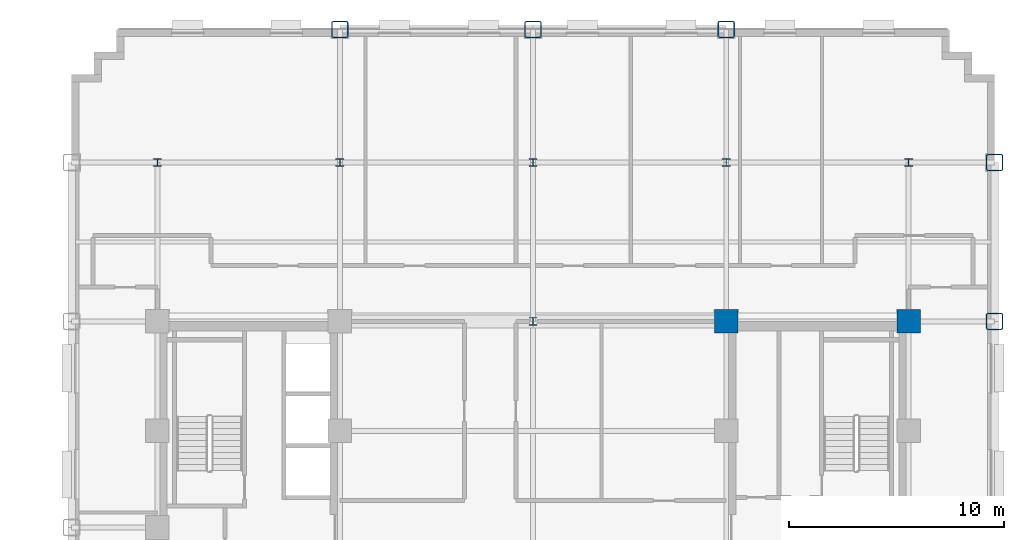
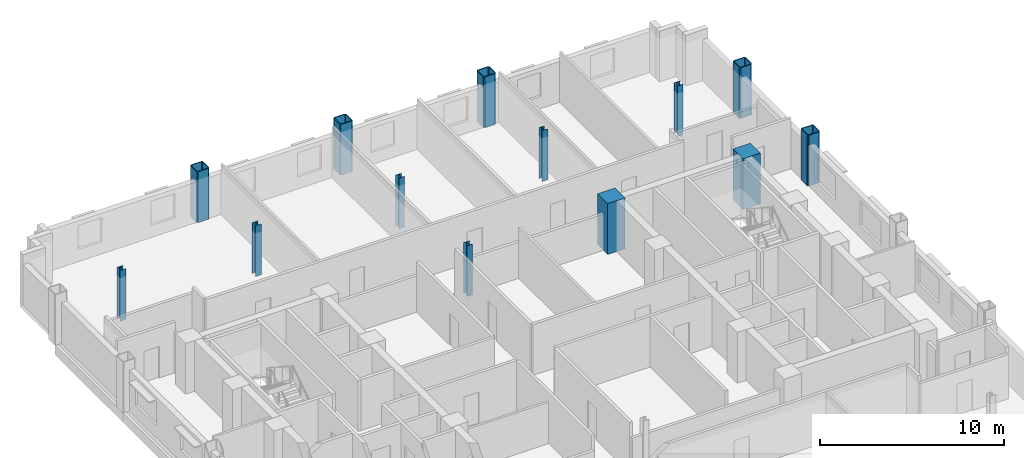
# One storey, part 3 of 13: 13 columns.
"""IFC4 building model written with IfcOpenShell, lengths in metres."""

from ifc_helpers import new_model, si_unit, direction, frame, origin, origin_2d, place, context, subcontext, project, spatial, rectangle, hollow_rectangle, i_section, extrude, material, material_profile, profile_set, type_object, element, save


model = new_model("IFC4")

# Units and contexts
model_context = context("Model", 3, precision=1e-05, world=origin(), true_north=direction((0.0, 1.0)))
body_context = subcontext(model_context, "Body", "Model", "MODEL_VIEW")
ifc_project = project(units=[si_unit("LENGTHUNIT", "METRE"), si_unit("AREAUNIT", "SQUARE_METRE"), si_unit("VOLUMEUNIT", "CUBIC_METRE"), si_unit("PLANEANGLEUNIT", "RADIAN"), si_unit("MASSUNIT", "GRAM", prefix="KILO")], contexts=[model_context])

# Site, building, storey
site_placement = place(None, origin())
site = spatial("IfcSite", under=ifc_project, at=site_placement, CompositionType="ELEMENT")
building_placement = place(site_placement, origin())
building = spatial("IfcBuilding", under=site, at=building_placement, Name="Nuvemarco Arch Tower", CompositionType="ELEMENT")
storey_placement = place(building_placement, frame((0.0, 0.0, 78.699951171875)))
storey = spatial("IfcBuildingStorey", under=building, at=storey_placement, Name="L20", CompositionType="ELEMENT", Elevation=78.699951171875)

# Columns
ifc_material_1 = material(Name="Concrete C60/75", Category="concrete")
ifc_material_profile_1 = material_profile(ifc_material_1, rectangle(XDim=1.10009765625, YDim=1.10009765625, at=origin_2d()), Name="RC-COL-1100x1100")
ifc_profile_set_1 = profile_set([ifc_material_profile_1], Name="Concrete C60/75")
column_type_1 = type_object("IfcColumnType", Name="COL-CORE-1100", PredefinedType="COLUMN", material=ifc_profile_set_1)
for number, where, z_axis, x_axis, name in (
    (1, (9.0, 9.60009765625, 0.0), (0.0, 0.0, 1.0), (1.0, 0.0, 0.0), "L20 column CC_+9.0_+9.6"),
    (2, (17.5, 9.60009765625, 0.0), (0.0, 0.0, 1.0), (1.0, 0.0, 0.0), "L20 column CC_+17.5_+9.6"),
):
    element("IfcColumn", number, at=place(storey_placement, frame(where, z_axis=z_axis, x_axis=x_axis)), inside=storey, type_object=column_type_1, Name=name, PredefinedType="COLUMN", context=body_context, shape_type="SweptSolid", body=[
        extrude(rectangle(XDim=1.10009765625, YDim=1.10009765625, at=origin_2d()), origin(), (0.0, 0.0, 1.0), 3.3701171875),
    ])
ifc_material_2 = material(Name="Steel S460", Category="steel")
ifc_material_profile_2 = material_profile(ifc_material_2, hollow_rectangle(XDim=0.800048828125, YDim=0.800048828125, WallThickness=0.054931640625, InnerFilletRadius=0.054931640625, OuterFilletRadius=0.110107421875, at=origin_2d()), Name="SHS800x800x55")
ifc_profile_set_2 = profile_set([ifc_material_profile_2], Name="Steel S460")
column_type_2 = type_object("IfcColumnType", Name="COL-EXO-800", PredefinedType="COLUMN", material=ifc_profile_set_2)
for number, where, z_axis, x_axis, name in (
    (3, (21.5, 9.60009765625, 0.0), (0.0, 0.0, 1.0), (1.0, 0.0, 0.0), "L20 column CX_+21.5_+9.6"),
    (4, (21.5, 17.0, 0.0), (0.0, 0.0, 1.0), (1.0, 0.0, 0.0), "L20 column CX_+21.5_+17.0"),
    (5, (-9.0, 23.199951171875, 0.0), (0.0, 0.0, 1.0), (1.0, 0.0, 0.0), "L20 column CY_-9.0_+23.2"),
    (6, (0.0, 23.199951171875, 0.0), (0.0, 0.0, 1.0), (1.0, 0.0, 0.0), "L20 column CY_+0.0_+23.2"),
    (7, (9.0, 23.199951171875, 0.0), (0.0, 0.0, 1.0), (1.0, 0.0, 0.0), "L20 column CY_+9.0_+23.2"),
):
    element("IfcColumn", number, at=place(storey_placement, frame(where, z_axis=z_axis, x_axis=x_axis)), inside=storey, type_object=column_type_2, Name=name, PredefinedType="COLUMN", context=body_context, shape_type="SweptSolid", body=[
        extrude(hollow_rectangle(XDim=0.800048828125, YDim=0.800048828125, WallThickness=0.054931640625, InnerFilletRadius=0.054931640625, OuterFilletRadius=0.110107421875, at=origin_2d()), origin(), (0.0, 0.0, 1.0), 3.3701171875),
    ])
ifc_material_3 = material(Name="Steel S355", Category="steel")
ifc_material_profile_3 = material_profile(ifc_material_3, i_section(OverallWidth=0.360107421875, OverallDepth=0.360107421875, WebThickness=0.0205078125, FlangeThickness=0.0205078125, FilletRadius=0.01806640625, at=origin_2d()), Name="HP360x174")
ifc_profile_set_3 = profile_set([ifc_material_profile_3], Name="Steel S355")
column_type_3 = type_object("IfcColumnType", Name="COL-STL-HP360", PredefinedType="COLUMN", material=ifc_profile_set_3)
for number, where, z_axis, x_axis, name in (
    (8, (0.0, 9.60009765625, 0.0), (0.0, 0.0, 1.0), (1.0, 0.0, 0.0), "L20 column CI_+0.0_+9.6"),
    (9, (0.0, 17.0, 0.0), (0.0, 0.0, 1.0), (1.0, 0.0, 0.0), "L20 column CI_+0.0_+17.0"),
    (10, (-17.5, 17.0, 0.0), (0.0, 0.0, 1.0), (1.0, 0.0, 0.0), "L20 column CI_-17.5_+17.0"),
    (11, (-9.0, 17.0, 0.0), (0.0, 0.0, 1.0), (1.0, 0.0, 0.0), "L20 column CI_-9.0_+17.0"),
    (12, (9.0, 17.0, 0.0), (0.0, 0.0, 1.0), (1.0, 0.0, 0.0), "L20 column CI_+9.0_+17.0"),
    (13, (17.5, 17.0, 0.0), (0.0, 0.0, 1.0), (1.0, 0.0, 0.0), "L20 column CI_+17.5_+17.0"),
):
    element("IfcColumn", number, at=place(storey_placement, frame(where, z_axis=z_axis, x_axis=x_axis)), inside=storey, type_object=column_type_3, Name=name, PredefinedType="COLUMN", context=body_context, shape_type="SweptSolid", body=[
        extrude(i_section(OverallWidth=0.360107421875, OverallDepth=0.360107421875, WebThickness=0.0205078125, FlangeThickness=0.0205078125, FilletRadius=0.01806640625, at=origin_2d()), origin(), (0.0, 0.0, 1.0), 3.3701171875),
    ])

save(model, "model.ifc")
